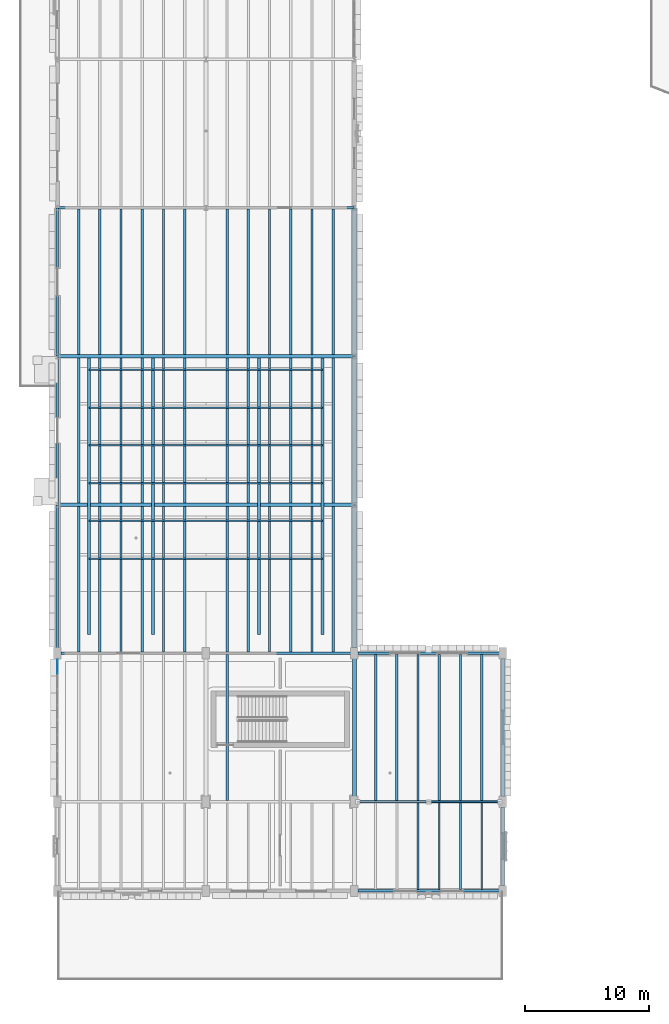
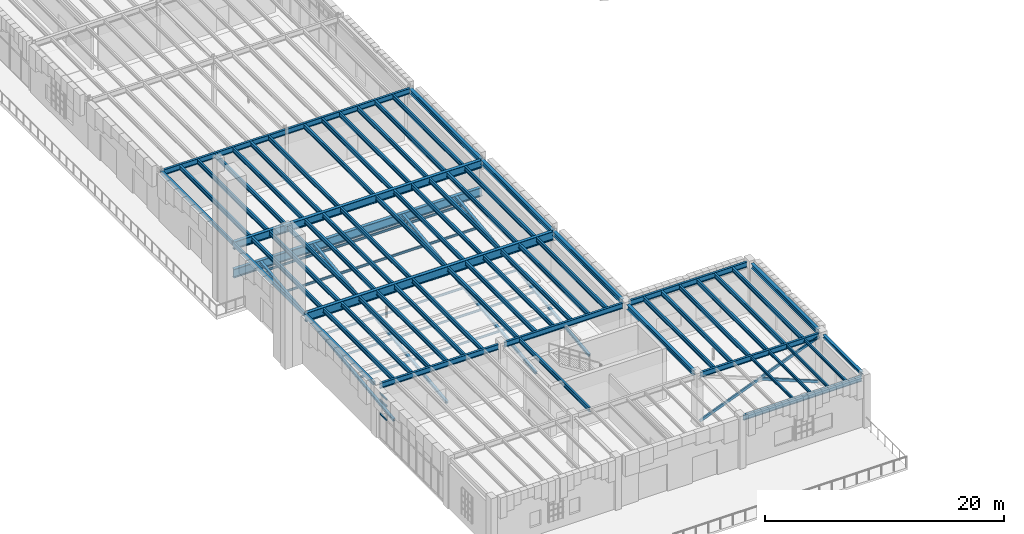
# One storey, part 15 of 103: 76 beams, 5 members, 1 element without a shape of its own.
"""IFC4 building model written with IfcOpenShell, lengths in metres."""

from ifc_helpers import new_model, si_unit, direction, frame, origin, origin_2d, place, context, subcontext, project, spatial, rectangle, hollow_rectangle, i_section, extrude, material, layer, layer_set, material_profile, profile_set, type_object, element, aggregate, save


model = new_model("IFC4")

# Units and contexts
model_context = context("Model", 3, precision=1e-05, world=origin(), true_north=direction((0.0, 1.0)))
body_context = subcontext(model_context, "Body", "Model", "MODEL_VIEW")
ifc_project = project(units=[si_unit("LENGTHUNIT", "METRE"), si_unit("AREAUNIT", "SQUARE_METRE"), si_unit("VOLUMEUNIT", "CUBIC_METRE"), si_unit("PLANEANGLEUNIT", "RADIAN"), si_unit("MASSUNIT", "GRAM", prefix="KILO")], contexts=[model_context])

# Site, building, storey
site_placement = place(None, origin())
site = spatial("IfcSite", under=ifc_project, at=site_placement, CompositionType="ELEMENT")
building_placement = place(site_placement, origin())
building = spatial("IfcBuilding", under=site, at=building_placement, Name="Zlatogorsky Bluff Art Gallery", CompositionType="ELEMENT")
storey_placement = place(building_placement, origin())
storey = spatial("IfcBuildingStorey", under=building, at=storey_placement, Name="L00", CompositionType="ELEMENT", Elevation=0.0)

# Beams
ifc_material_1 = material(Name="Steel S355", Category="steel")
ifc_material_profile_1 = material_profile(ifc_material_1, i_section(OverallWidth=0.300048828125, OverallDepth=0.800048828125, WebThickness=0.017578125, FlangeThickness=0.032958984375, FilletRadius=0.030029296875, at=origin_2d()), Name="HEB 800")
ifc_profile_set_1 = profile_set([ifc_material_profile_1], Name="Steel S355")
beam_type_1 = type_object("IfcBeamType", Name="Beam BM-03 HEB 800", PredefinedType="BEAM", material=ifc_profile_set_1)
beam_1_placement = place(storey_placement, frame((0.014892578125, 50.39990234375, 4.739990234375), z_axis=(1.0, 0.0, 0.0), x_axis=(0.0, 1.0, 0.0)))
element("IfcBeam", 1, at=beam_1_placement, inside=storey, type_object=beam_type_1, Name="Auditorium long-span girder BM-03 L00 A-C/6", PredefinedType="BEAM", context=body_context, shape_type="SweptSolid", body=[
    extrude(i_section(OverallWidth=0.300048828125, OverallDepth=0.800048828125, WebThickness=0.017578125, FlangeThickness=0.032958984375, FilletRadius=0.030029296875, at=origin_2d()), origin(), (0.0, 0.0, 1.0), 23.97021484375),
])
ifc_material_profile_2 = material_profile(ifc_material_1, i_section(OverallWidth=0.300048828125, OverallDepth=0.89990234375, WebThickness=0.0185546875, FlangeThickness=0.034912109375, FilletRadius=0.030029296875, at=origin_2d()), Name="HEB 900")
ifc_profile_set_2 = profile_set([ifc_material_profile_2], Name="Steel S355")
beam_type_2 = type_object("IfcBeamType", Name="Beam BM-04 HEB 900", PredefinedType="BEAM", material=ifc_profile_set_2)
beam_2_placement = place(storey_placement, frame((0.0, 50.39990234375, 1.89990234375), z_axis=(1.0, 0.0, 0.0), x_axis=(0.0, 1.0, 0.0)))
element("IfcBeam", 2, at=beam_2_placement, inside=storey, type_object=beam_type_2, Name="Auditorium raker north support girder", PredefinedType="BEAM", context=body_context, shape_type="SweptSolid", body=[
    extrude(i_section(OverallWidth=0.300048828125, OverallDepth=0.89990234375, WebThickness=0.0185546875, FlangeThickness=0.034912109375, FilletRadius=0.030029296875, at=origin_2d()), origin(), (0.0, 0.0, 1.0), 24.0),
])
beam_3_placement = place(storey_placement, frame((0.014892578125, 38.39990234375, 4.68994140625), z_axis=(1.0, 0.0, 0.0), x_axis=(0.0, 1.0, 0.0)))
element("IfcBeam", 3, at=beam_3_placement, inside=storey, type_object=beam_type_2, Name="Auditorium long-span girder BM-04 L00 A-C/5", PredefinedType="BEAM", context=body_context, shape_type="SweptSolid", body=[
    extrude(i_section(OverallWidth=0.300048828125, OverallDepth=0.89990234375, WebThickness=0.0185546875, FlangeThickness=0.034912109375, FilletRadius=0.030029296875, at=origin_2d()), origin(), (0.0, 0.0, 1.0), 23.97021484375),
])
ifc_material_profile_3 = material_profile(ifc_material_1, i_section(OverallWidth=0.300048828125, OverallDepth=0.489990234375, WebThickness=0.011962890625, FlangeThickness=0.02294921875, FilletRadius=0.027099609375, at=origin_2d()), Name="HEA 500")
ifc_profile_set_3 = profile_set([ifc_material_profile_3], Name="Steel S355")
beam_type_3 = type_object("IfcBeamType", Name="Beam BM-07 HEA 500", PredefinedType="BEAM", material=ifc_profile_set_3)
beam_4_placement = place(storey_placement, frame((24.0, 14.830078125, 4.89501953125), z_axis=(0.0, 1.0, 0.0), x_axis=(-1.0, 0.0, 0.0)))
element("IfcBeam", 4, at=beam_4_placement, inside=storey, type_object=beam_type_3, Name="Primary girder BM-07 L00 C/3-4", PredefinedType="BEAM", context=body_context, shape_type="SweptSolid", body=[
    extrude(i_section(OverallWidth=0.300048828125, OverallDepth=0.489990234375, WebThickness=0.011962890625, FlangeThickness=0.02294921875, FilletRadius=0.027099609375, at=origin_2d()), origin(), (0.0, 0.0, 1.0), 11.139892578125),
])
beam_5_placement = place(storey_placement, frame((24.0, 26.830078125, 4.89501953125), z_axis=(0.0, 1.0, 0.0), x_axis=(-1.0, 0.0, 0.0)))
element("IfcBeam", 5, at=beam_5_placement, inside=storey, type_object=beam_type_3, Name="Primary girder BM-07 L00 C/4-5", PredefinedType="BEAM", context=body_context, shape_type="SweptSolid", body=[
    extrude(i_section(OverallWidth=0.300048828125, OverallDepth=0.489990234375, WebThickness=0.011962890625, FlangeThickness=0.02294921875, FilletRadius=0.027099609375, at=origin_2d()), origin(), (0.0, 0.0, 1.0), 11.554931640625),
])
for number, where, z_axis, x_axis, name in (
    (6, (24.0, 38.4150390625, 4.89501953125), (0.0, 1.0, 0.0), (-1.0, 0.0, 0.0), "Primary girder BM-07 L00 C/5-6"),
    (7, (24.0, 50.4150390625, 4.89501953125), (0.0, 1.0, 0.0), (-1.0, 0.0, 0.0), "Primary girder BM-07 L00 C/6-7"),
):
    element("IfcBeam", number, at=place(storey_placement, frame(where, z_axis=z_axis, x_axis=x_axis)), inside=storey, type_object=beam_type_3, Name=name, PredefinedType="BEAM", context=body_context, shape_type="SweptSolid", body=[
        extrude(i_section(OverallWidth=0.300048828125, OverallDepth=0.489990234375, WebThickness=0.011962890625, FlangeThickness=0.02294921875, FilletRadius=0.027099609375, at=origin_2d()), origin(), (0.0, 0.0, 1.0), 11.969970703125),
    ])
beam_6_placement = place(storey_placement, frame((36.0, 14.830078125, 4.89501953125), z_axis=(0.0, 1.0, 0.0), x_axis=(-1.0, 0.0, 0.0)))
element("IfcBeam", 8, at=beam_6_placement, inside=storey, type_object=beam_type_3, Name="Primary girder BM-07 L00 D/3-4", PredefinedType="BEAM", context=body_context, shape_type="SweptSolid", body=[
    extrude(i_section(OverallWidth=0.300048828125, OverallDepth=0.489990234375, WebThickness=0.011962890625, FlangeThickness=0.02294921875, FilletRadius=0.027099609375, at=origin_2d()), origin(), (0.0, 0.0, 1.0), 11.139892578125),
])
ifc_material_profile_4 = material_profile(ifc_material_1, i_section(OverallWidth=0.280029296875, OverallDepth=0.27001953125, WebThickness=0.008056640625, FlangeThickness=0.012939453125, FilletRadius=0.02392578125, at=origin_2d()), Name="HEA 280")
ifc_profile_set_4 = profile_set([ifc_material_profile_4], Name="Steel S355")
beam_type_4 = type_object("IfcBeamType", Name="Beam BM-12 HEA 280", PredefinedType="BEAM", material=ifc_profile_set_4)
beam_7_placement = place(storey_placement, frame((36.0, 7.6298828125, 5.0048828125), z_axis=(0.0, 1.0, 0.0), x_axis=(-1.0, 0.0, 0.0)))
element("IfcBeam", 9, at=beam_7_placement, inside=storey, type_object=beam_type_4, Name="Primary girder BM-12 L00 D/2-3", PredefinedType="BEAM", context=body_context, shape_type="SweptSolid", body=[
    extrude(i_section(OverallWidth=0.280029296875, OverallDepth=0.27001953125, WebThickness=0.008056640625, FlangeThickness=0.012939453125, FilletRadius=0.02392578125, at=origin_2d()), origin(), (0.0, 0.0, 1.0), 6.340087890625),
])
ifc_material_profile_5 = material_profile(ifc_material_1, i_section(OverallWidth=0.2099609375, OverallDepth=0.550048828125, WebThickness=0.010986328125, FlangeThickness=0.01708984375, FilletRadius=0.02392578125, at=origin_2d()), Name="IPE 550")
ifc_profile_set_5 = profile_set([ifc_material_profile_5], Name="Steel S355")
beam_type_5 = type_object("IfcBeamType", Name="Beam BM-14 IPE 550", PredefinedType="BEAM", material=ifc_profile_set_5)
beam_8_placement = place(storey_placement, frame((0.280029296875, 26.39990234375, 4.864990234375), z_axis=(1.0, 0.0, 0.0), x_axis=(0.0, 1.0, 0.0)))
element("IfcBeam", 10, at=beam_8_placement, inside=storey, type_object=beam_type_5, Name="Primary girder BM-14 L00 A-B/4", PredefinedType="BEAM", context=body_context, shape_type="SweptSolid", body=[
    extrude(i_section(OverallWidth=0.2099609375, OverallDepth=0.550048828125, WebThickness=0.010986328125, FlangeThickness=0.01708984375, FilletRadius=0.02392578125, at=origin_2d()), origin(), (0.0, 0.0, 1.0), 11.43994140625),
])
beam_9_placement = place(storey_placement, frame((0.014892578125, 62.39990234375, 4.864990234375), z_axis=(1.0, 0.0, 0.0), x_axis=(0.0, 1.0, 0.0)))
element("IfcBeam", 11, at=beam_9_placement, inside=storey, type_object=beam_type_5, Name="Primary girder BM-14 L00 A-B/7", PredefinedType="BEAM", context=body_context, shape_type="SweptSolid", body=[
    extrude(i_section(OverallWidth=0.2099609375, OverallDepth=0.550048828125, WebThickness=0.010986328125, FlangeThickness=0.01708984375, FilletRadius=0.02392578125, at=origin_2d()), origin(), (0.0, 0.0, 1.0), 11.97021484375),
])
beam_10_placement = place(storey_placement, frame((12.280029296875, 26.39990234375, 4.864990234375), z_axis=(1.0, 0.0, 0.0), x_axis=(0.0, 1.0, 0.0)))
element("IfcBeam", 12, at=beam_10_placement, inside=storey, type_object=beam_type_5, Name="Primary girder BM-14 L00 B-C/4", PredefinedType="BEAM", context=body_context, shape_type="SweptSolid", body=[
    extrude(i_section(OverallWidth=0.2099609375, OverallDepth=0.550048828125, WebThickness=0.010986328125, FlangeThickness=0.01708984375, FilletRadius=0.02392578125, at=origin_2d()), origin(), (0.0, 0.0, 1.0), 11.43994140625),
])
beam_11_placement = place(storey_placement, frame((12.014892578125, 62.39990234375, 4.864990234375), z_axis=(1.0, 0.0, 0.0), x_axis=(0.0, 1.0, 0.0)))
element("IfcBeam", 13, at=beam_11_placement, inside=storey, type_object=beam_type_5, Name="Primary girder BM-14 L00 B-C/7", PredefinedType="BEAM", context=body_context, shape_type="SweptSolid", body=[
    extrude(i_section(OverallWidth=0.2099609375, OverallDepth=0.550048828125, WebThickness=0.010986328125, FlangeThickness=0.01708984375, FilletRadius=0.02392578125, at=origin_2d()), origin(), (0.0, 0.0, 1.0), 11.97021484375),
])
for number, where, z_axis, x_axis, name in (
    (14, (24.280029296875, 7.199951171875, 4.864990234375), (1.0, 0.0, 0.0), (0.0, 1.0, 0.0), "Primary girder BM-14 L00 C-D/2"),
    (15, (24.280029296875, 14.39990234375, 4.864990234375), (1.0, 0.0, 0.0), (0.0, 1.0, 0.0), "Primary girder BM-14 L00 C-D/3"),
    (16, (24.280029296875, 26.39990234375, 4.864990234375), (1.0, 0.0, 0.0), (0.0, 1.0, 0.0), "Primary girder BM-14 L00 C-D/4"),
):
    element("IfcBeam", number, at=place(storey_placement, frame(where, z_axis=z_axis, x_axis=x_axis)), inside=storey, type_object=beam_type_5, Name=name, PredefinedType="BEAM", context=body_context, shape_type="SweptSolid", body=[
        extrude(i_section(OverallWidth=0.2099609375, OverallDepth=0.550048828125, WebThickness=0.010986328125, FlangeThickness=0.01708984375, FilletRadius=0.02392578125, at=origin_2d()), origin(), (0.0, 0.0, 1.0), 11.43994140625),
    ])
ifc_material_profile_6 = material_profile(ifc_material_1, i_section(OverallWidth=0.14990234375, OverallDepth=0.300048828125, WebThickness=0.007080078125, FlangeThickness=0.0107421875, FilletRadius=0.014892578125, at=origin_2d()), Name="IPE 300")
ifc_profile_set_6 = profile_set([ifc_material_profile_6], Name="Steel S355")
beam_type_6 = type_object("IfcBeamType", Name="Beam JS-02 IPE 300", PredefinedType="JOIST", material=ifc_profile_set_6)
for number, where, z_axis, x_axis, name in (
    (17, (29.142822265625, 7.304931640625, 4.989990234375), (0.0, 1.0, 0.0), (-1.0, 0.0, 0.0), "Composite floor joist JS-02 L00 02.01.3"),
    (18, (30.857177734375, 7.304931640625, 4.989990234375), (0.0, 1.0, 0.0), (-1.0, 0.0, 0.0), "Composite floor joist JS-02 L00 02.01.4"),
    (19, (32.571533203125, 7.304931640625, 4.989990234375), (0.0, 1.0, 0.0), (-1.0, 0.0, 0.0), "Composite floor joist JS-02 L00 02.01.5"),
    (20, (34.28564453125, 7.304931640625, 4.989990234375), (0.0, 1.0, 0.0), (-1.0, 0.0, 0.0), "Composite floor joist JS-02 L00 02.01.6"),
):
    element("IfcBeam", number, at=place(storey_placement, frame(where, z_axis=z_axis, x_axis=x_axis)), inside=storey, type_object=beam_type_6, Name=name, PredefinedType="JOIST", context=body_context, shape_type="SweptSolid", body=[
        extrude(i_section(OverallWidth=0.14990234375, OverallDepth=0.300048828125, WebThickness=0.007080078125, FlangeThickness=0.0107421875, FilletRadius=0.014892578125, at=origin_2d()), origin(), (0.0, 0.0, 1.0), 6.989990234375),
    ])
ifc_material_profile_7 = material_profile(ifc_material_1, i_section(OverallWidth=0.18994140625, OverallDepth=0.449951171875, WebThickness=0.009521484375, FlangeThickness=0.0146484375, FilletRadius=0.02099609375, at=origin_2d()), Name="IPE 450")
ifc_profile_set_7 = profile_set([ifc_material_profile_7], Name="Steel S355")
beam_type_7 = type_object("IfcBeamType", Name="Beam JS-06 IPE 450", PredefinedType="JOIST", material=ifc_profile_set_7)
for number, where, z_axis, x_axis, name in (
    (21, (1.71435546875, 26.5048828125, 4.9150390625), (0.0, 1.0, 0.0), (-1.0, 0.0, 0.0), "Composite floor joist JS-06 L00 00.03.1"),
    (22, (3.428466796875, 26.5048828125, 4.9150390625), (0.0, 1.0, 0.0), (-1.0, 0.0, 0.0), "Composite floor joist JS-06 L00 00.03.2"),
    (23, (5.142822265625, 26.5048828125, 4.9150390625), (0.0, 1.0, 0.0), (-1.0, 0.0, 0.0), "Composite floor joist JS-06 L00 00.03.3"),
    (24, (6.857177734375, 26.5048828125, 4.9150390625), (0.0, 1.0, 0.0), (-1.0, 0.0, 0.0), "Composite floor joist JS-06 L00 00.03.4"),
    (25, (8.571533203125, 26.5048828125, 4.9150390625), (0.0, 1.0, 0.0), (-1.0, 0.0, 0.0), "Composite floor joist JS-06 L00 00.03.5"),
    (26, (10.28564453125, 26.5048828125, 4.9150390625), (0.0, 1.0, 0.0), (-1.0, 0.0, 0.0), "Composite floor joist JS-06 L00 00.03.6"),
):
    element("IfcBeam", number, at=place(storey_placement, frame(where, z_axis=z_axis, x_axis=x_axis)), inside=storey, type_object=beam_type_7, Name=name, PredefinedType="JOIST", context=body_context, shape_type="SweptSolid", body=[
        extrude(i_section(OverallWidth=0.18994140625, OverallDepth=0.449951171875, WebThickness=0.009521484375, FlangeThickness=0.0146484375, FilletRadius=0.02099609375, at=origin_2d()), origin(), (0.0, 0.0, 1.0), 11.7451171875),
    ])
for number, where, z_axis, x_axis, name in (
    (27, (1.71435546875, 38.550048828125, 4.9150390625), (0.0, 1.0, 0.0), (-1.0, 0.0, 0.0), "Composite floor joist JS-06 L00 00.04.1"),
    (28, (3.428466796875, 38.550048828125, 4.9150390625), (0.0, 1.0, 0.0), (-1.0, 0.0, 0.0), "Composite floor joist JS-06 L00 00.04.2"),
    (29, (5.142822265625, 38.550048828125, 4.9150390625), (0.0, 1.0, 0.0), (-1.0, 0.0, 0.0), "Composite floor joist JS-06 L00 00.04.3"),
    (30, (6.857177734375, 38.550048828125, 4.9150390625), (0.0, 1.0, 0.0), (-1.0, 0.0, 0.0), "Composite floor joist JS-06 L00 00.04.4"),
    (31, (8.571533203125, 38.550048828125, 4.9150390625), (0.0, 1.0, 0.0), (-1.0, 0.0, 0.0), "Composite floor joist JS-06 L00 00.04.5"),
    (32, (10.28564453125, 38.550048828125, 4.9150390625), (0.0, 1.0, 0.0), (-1.0, 0.0, 0.0), "Composite floor joist JS-06 L00 00.04.6"),
):
    element("IfcBeam", number, at=place(storey_placement, frame(where, z_axis=z_axis, x_axis=x_axis)), inside=storey, type_object=beam_type_7, Name=name, PredefinedType="JOIST", context=body_context, shape_type="SweptSolid", body=[
        extrude(i_section(OverallWidth=0.18994140625, OverallDepth=0.449951171875, WebThickness=0.009521484375, FlangeThickness=0.0146484375, FilletRadius=0.02099609375, at=origin_2d()), origin(), (0.0, 0.0, 1.0), 11.699951171875),
    ])
for number, where, z_axis, x_axis, name in (
    (33, (1.71435546875, 50.550048828125, 4.9150390625), (0.0, 1.0, 0.0), (-1.0, 0.0, 0.0), "Composite floor joist JS-06 L00 00.05.1"),
    (34, (3.428466796875, 50.550048828125, 4.9150390625), (0.0, 1.0, 0.0), (-1.0, 0.0, 0.0), "Composite floor joist JS-06 L00 00.05.2"),
    (35, (5.142822265625, 50.550048828125, 4.9150390625), (0.0, 1.0, 0.0), (-1.0, 0.0, 0.0), "Composite floor joist JS-06 L00 00.05.3"),
    (36, (6.857177734375, 50.550048828125, 4.9150390625), (0.0, 1.0, 0.0), (-1.0, 0.0, 0.0), "Composite floor joist JS-06 L00 00.05.4"),
    (37, (8.571533203125, 50.550048828125, 4.9150390625), (0.0, 1.0, 0.0), (-1.0, 0.0, 0.0), "Composite floor joist JS-06 L00 00.05.5"),
    (38, (10.28564453125, 50.550048828125, 4.9150390625), (0.0, 1.0, 0.0), (-1.0, 0.0, 0.0), "Composite floor joist JS-06 L00 00.05.6"),
):
    element("IfcBeam", number, at=place(storey_placement, frame(where, z_axis=z_axis, x_axis=x_axis)), inside=storey, type_object=beam_type_7, Name=name, PredefinedType="JOIST", context=body_context, shape_type="SweptSolid", body=[
        extrude(i_section(OverallWidth=0.18994140625, OverallDepth=0.449951171875, WebThickness=0.009521484375, FlangeThickness=0.0146484375, FilletRadius=0.02099609375, at=origin_2d()), origin(), (0.0, 0.0, 1.0), 11.744873046875),
    ])
beam_12_placement = place(storey_placement, frame((13.71435546875, 14.5048828125, 4.9150390625), z_axis=(0.0, 1.0, 0.0), x_axis=(-1.0, 0.0, 0.0)))
element("IfcBeam", 39, at=beam_12_placement, inside=storey, type_object=beam_type_7, Name="Composite floor joist JS-06 L00 01.02.1", PredefinedType="JOIST", context=body_context, shape_type="SweptSolid", body=[
    extrude(i_section(OverallWidth=0.18994140625, OverallDepth=0.449951171875, WebThickness=0.009521484375, FlangeThickness=0.0146484375, FilletRadius=0.02099609375, at=origin_2d()), origin(), (0.0, 0.0, 1.0), 11.7900390625),
])
for number, where, z_axis, x_axis, name in (
    (40, (13.71435546875, 26.5048828125, 4.9150390625), (0.0, 1.0, 0.0), (-1.0, 0.0, 0.0), "Composite floor joist JS-06 L00 01.03.1"),
    (41, (15.428466796875, 26.5048828125, 4.9150390625), (0.0, 1.0, 0.0), (-1.0, 0.0, 0.0), "Composite floor joist JS-06 L00 01.03.2"),
    (42, (17.142822265625, 26.5048828125, 4.9150390625), (0.0, 1.0, 0.0), (-1.0, 0.0, 0.0), "Composite floor joist JS-06 L00 01.03.3"),
    (43, (18.857177734375, 26.5048828125, 4.9150390625), (0.0, 1.0, 0.0), (-1.0, 0.0, 0.0), "Composite floor joist JS-06 L00 01.03.4"),
    (44, (20.571533203125, 26.5048828125, 4.9150390625), (0.0, 1.0, 0.0), (-1.0, 0.0, 0.0), "Composite floor joist JS-06 L00 01.03.5"),
    (45, (22.28564453125, 26.5048828125, 4.9150390625), (0.0, 1.0, 0.0), (-1.0, 0.0, 0.0), "Composite floor joist JS-06 L00 01.03.6"),
):
    element("IfcBeam", number, at=place(storey_placement, frame(where, z_axis=z_axis, x_axis=x_axis)), inside=storey, type_object=beam_type_7, Name=name, PredefinedType="JOIST", context=body_context, shape_type="SweptSolid", body=[
        extrude(i_section(OverallWidth=0.18994140625, OverallDepth=0.449951171875, WebThickness=0.009521484375, FlangeThickness=0.0146484375, FilletRadius=0.02099609375, at=origin_2d()), origin(), (0.0, 0.0, 1.0), 11.7451171875),
    ])
for number, where, z_axis, x_axis, name in (
    (46, (13.71435546875, 38.550048828125, 4.9150390625), (0.0, 1.0, 0.0), (-1.0, 0.0, 0.0), "Composite floor joist JS-06 L00 01.04.1"),
    (47, (15.428466796875, 38.550048828125, 4.9150390625), (0.0, 1.0, 0.0), (-1.0, 0.0, 0.0), "Composite floor joist JS-06 L00 01.04.2"),
    (48, (17.142822265625, 38.550048828125, 4.9150390625), (0.0, 1.0, 0.0), (-1.0, 0.0, 0.0), "Composite floor joist JS-06 L00 01.04.3"),
    (49, (18.857177734375, 38.550048828125, 4.9150390625), (0.0, 1.0, 0.0), (-1.0, 0.0, 0.0), "Composite floor joist JS-06 L00 01.04.4"),
    (50, (20.571533203125, 38.550048828125, 4.9150390625), (0.0, 1.0, 0.0), (-1.0, 0.0, 0.0), "Composite floor joist JS-06 L00 01.04.5"),
    (51, (22.28564453125, 38.550048828125, 4.9150390625), (0.0, 1.0, 0.0), (-1.0, 0.0, 0.0), "Composite floor joist JS-06 L00 01.04.6"),
):
    element("IfcBeam", number, at=place(storey_placement, frame(where, z_axis=z_axis, x_axis=x_axis)), inside=storey, type_object=beam_type_7, Name=name, PredefinedType="JOIST", context=body_context, shape_type="SweptSolid", body=[
        extrude(i_section(OverallWidth=0.18994140625, OverallDepth=0.449951171875, WebThickness=0.009521484375, FlangeThickness=0.0146484375, FilletRadius=0.02099609375, at=origin_2d()), origin(), (0.0, 0.0, 1.0), 11.699951171875),
    ])
for number, where, z_axis, x_axis, name in (
    (52, (13.71435546875, 50.550048828125, 4.9150390625), (0.0, 1.0, 0.0), (-1.0, 0.0, 0.0), "Composite floor joist JS-06 L00 01.05.1"),
    (53, (15.428466796875, 50.550048828125, 4.9150390625), (0.0, 1.0, 0.0), (-1.0, 0.0, 0.0), "Composite floor joist JS-06 L00 01.05.2"),
    (54, (17.142822265625, 50.550048828125, 4.9150390625), (0.0, 1.0, 0.0), (-1.0, 0.0, 0.0), "Composite floor joist JS-06 L00 01.05.3"),
    (55, (18.857177734375, 50.550048828125, 4.9150390625), (0.0, 1.0, 0.0), (-1.0, 0.0, 0.0), "Composite floor joist JS-06 L00 01.05.4"),
    (56, (20.571533203125, 50.550048828125, 4.9150390625), (0.0, 1.0, 0.0), (-1.0, 0.0, 0.0), "Composite floor joist JS-06 L00 01.05.5"),
    (57, (22.28564453125, 50.550048828125, 4.9150390625), (0.0, 1.0, 0.0), (-1.0, 0.0, 0.0), "Composite floor joist JS-06 L00 01.05.6"),
):
    element("IfcBeam", number, at=place(storey_placement, frame(where, z_axis=z_axis, x_axis=x_axis)), inside=storey, type_object=beam_type_7, Name=name, PredefinedType="JOIST", context=body_context, shape_type="SweptSolid", body=[
        extrude(i_section(OverallWidth=0.18994140625, OverallDepth=0.449951171875, WebThickness=0.009521484375, FlangeThickness=0.0146484375, FilletRadius=0.02099609375, at=origin_2d()), origin(), (0.0, 0.0, 1.0), 11.744873046875),
    ])
for number, where, z_axis, x_axis, name in (
    (58, (25.71435546875, 14.5048828125, 4.9150390625), (0.0, 1.0, 0.0), (-1.0, 0.0, 0.0), "Composite floor joist JS-06 L00 02.02.1"),
    (59, (27.428466796875, 14.5048828125, 4.9150390625), (0.0, 1.0, 0.0), (-1.0, 0.0, 0.0), "Composite floor joist JS-06 L00 02.02.2"),
    (60, (29.142822265625, 14.5048828125, 4.9150390625), (0.0, 1.0, 0.0), (-1.0, 0.0, 0.0), "Composite floor joist JS-06 L00 02.02.3"),
    (61, (30.857177734375, 14.5048828125, 4.9150390625), (0.0, 1.0, 0.0), (-1.0, 0.0, 0.0), "Composite floor joist JS-06 L00 02.02.4"),
    (62, (32.571533203125, 14.5048828125, 4.9150390625), (0.0, 1.0, 0.0), (-1.0, 0.0, 0.0), "Composite floor joist JS-06 L00 02.02.5"),
    (63, (34.28564453125, 14.5048828125, 4.9150390625), (0.0, 1.0, 0.0), (-1.0, 0.0, 0.0), "Composite floor joist JS-06 L00 02.02.6"),
):
    element("IfcBeam", number, at=place(storey_placement, frame(where, z_axis=z_axis, x_axis=x_axis)), inside=storey, type_object=beam_type_7, Name=name, PredefinedType="JOIST", context=body_context, shape_type="SweptSolid", body=[
        extrude(i_section(OverallWidth=0.18994140625, OverallDepth=0.449951171875, WebThickness=0.009521484375, FlangeThickness=0.0146484375, FilletRadius=0.02099609375, at=origin_2d()), origin(), (0.0, 0.0, 1.0), 11.7900390625),
    ])
ifc_material_profile_8 = material_profile(ifc_material_1, i_section(OverallWidth=0.110107421875, OverallDepth=0.219970703125, WebThickness=0.005859375, FlangeThickness=0.00927734375, FilletRadius=0.011962890625, at=origin_2d()), Name="IPE 220")
ifc_profile_set_8 = profile_set([ifc_material_profile_8], Name="Steel S355")
beam_type_8 = type_object("IfcBeamType", Name="Beam LN-01 IPE 220", PredefinedType="LINTEL", material=ifc_profile_set_8)
for number, where, z_axis, x_axis, name in (
    (64, (2.570068359375, 34.050048828125, 0.19482421875), (1.0, 0.0, 0.0), (0.0, 1.0, 0.0), "Auditorium tier cross-bearer 1"),
    (65, (2.570068359375, 37.10009765625, 0.5498046875), (1.0, 0.0, 0.0), (0.0, 1.0, 0.0), "Auditorium tier cross-bearer 2"),
    (66, (2.570068359375, 40.14990234375, 0.904541015625), (1.0, 0.0, 0.0), (0.0, 1.0, 0.0), "Auditorium tier cross-bearer 3"),
    (67, (2.570068359375, 43.199951171875, 1.259521484375), (1.0, 0.0, 0.0), (0.0, 1.0, 0.0), "Auditorium tier cross-bearer 4"),
    (68, (2.570068359375, 46.25, 1.614501953125), (1.0, 0.0, 0.0), (0.0, 1.0, 0.0), "Auditorium tier cross-bearer 5"),
    (69, (2.570068359375, 49.300048828125, 1.969482421875), (1.0, 0.0, 0.0), (0.0, 1.0, 0.0), "Auditorium tier cross-bearer 6"),
):
    element("IfcBeam", number, at=place(storey_placement, frame(where, z_axis=z_axis, x_axis=x_axis)), inside=storey, type_object=beam_type_8, Name=name, PredefinedType="LINTEL", context=body_context, shape_type="SweptSolid", body=[
        extrude(i_section(OverallWidth=0.110107421875, OverallDepth=0.219970703125, WebThickness=0.005859375, FlangeThickness=0.00927734375, FilletRadius=0.011962890625, at=origin_2d()), origin(), (0.0, 0.0, 1.0), 18.85986328125),
    ])
ifc_material_profile_9 = material_profile(ifc_material_1, i_section(OverallWidth=0.239990234375, OverallDepth=0.22998046875, WebThickness=0.007568359375, FlangeThickness=0.011962890625, FilletRadius=0.02099609375, at=origin_2d()), Name="HEA 240")
ifc_profile_set_9 = profile_set([ifc_material_profile_9], Name="Steel S355")
beam_type_9 = type_object("IfcBeamType", Name="Beam RK-01 HEA 240", PredefinedType="USERDEFINED", material=ifc_profile_set_9)
for number, where, z_axis, x_axis, name in (
    (70, (2.570068359375, 27.93994140625, -0.39501953125), (0.0, 0.993128712603, 0.117027177197), (-1.0, 0.0, 0.0), "Auditorium seating raker beam X=2.57"),
    (71, (7.7099609375, 27.93994140625, -0.39501953125), (0.0, 0.993128712603, 0.117027177197), (-1.0, 0.0, 0.0), "Auditorium seating raker beam X=7.71"),
    (72, (16.2900390625, 27.93994140625, -0.39501953125), (0.0, 0.993128712603, 0.117027177197), (-1.0, 0.0, 0.0), "Auditorium seating raker beam X=16.29"),
    (73, (21.429931640625, 27.93994140625, -0.39501953125), (0.0, 0.993128712603, 0.117027177197), (-1.0, 0.0, 0.0), "Auditorium seating raker beam X=21.43"),
):
    element("IfcBeam", number, at=place(storey_placement, frame(where, z_axis=z_axis, x_axis=x_axis)), inside=storey, type_object=beam_type_9, Name=name, ObjectType="RAKER", PredefinedType="USERDEFINED", context=body_context, shape_type="SweptSolid", body=[
        extrude(i_section(OverallWidth=0.239990234375, OverallDepth=0.22998046875, WebThickness=0.007568359375, FlangeThickness=0.011962890625, FilletRadius=0.02099609375, at=origin_2d()), origin(), (0.0, 0.0, 1.0), 22.474609375),
    ])
ifc_material_profile_10 = material_profile(ifc_material_1, hollow_rectangle(XDim=0.199951171875, YDim=0.39990234375, WallThickness=0.01611328125, at=origin_2d()), Name="RHS 400x200x16")
ifc_profile_set_10 = profile_set([ifc_material_profile_10], Name="Steel S355")
beam_type_10 = type_object("IfcBeamType", Name="Beam SP-02 RHS 400x200x16", PredefinedType="SPANDREL", material=ifc_profile_set_10)
beam_13_placement = place(storey_placement, frame((0.0, 26.830078125, 4.93994140625), z_axis=(0.0, 1.0, 0.0), x_axis=(-1.0, 0.0, 0.0)))
element("IfcBeam", 74, at=beam_13_placement, inside=storey, type_object=beam_type_10, Name="Primary girder SP-02 L00 A/4-5", PredefinedType="SPANDREL", context=body_context, shape_type="SweptSolid", body=[
    extrude(hollow_rectangle(XDim=0.199951171875, YDim=0.39990234375, WallThickness=0.01611328125, at=origin_2d()), origin(), (0.0, 0.0, 1.0), 11.554931640625),
])
for number, where, z_axis, x_axis, name in (
    (75, (0.0, 38.4150390625, 4.93994140625), (0.0, 1.0, 0.0), (-1.0, 0.0, 0.0), "Primary girder SP-02 L00 A/5-6"),
    (76, (0.0, 50.4150390625, 4.93994140625), (0.0, 1.0, 0.0), (-1.0, 0.0, 0.0), "Primary girder SP-02 L00 A/6-7"),
):
    element("IfcBeam", number, at=place(storey_placement, frame(where, z_axis=z_axis, x_axis=x_axis)), inside=storey, type_object=beam_type_10, Name=name, PredefinedType="SPANDREL", context=body_context, shape_type="SweptSolid", body=[
        extrude(hollow_rectangle(XDim=0.199951171875, YDim=0.39990234375, WallThickness=0.01611328125, at=origin_2d()), origin(), (0.0, 0.0, 1.0), 11.969970703125),
    ])

# Curtain wall, members
ifc_material_2 = material(Name="Anodised Bronze Aluminium and Low-Iron Triple Glazing", Category="aluminium")
ifc_layer = layer(ifc_material_2, 0.179931640625)
ifc_layer_set = layer_set([ifc_layer], Name="Curtain Wall CW-03")
curtain_wall_type = type_object("IfcCurtainWallType", Name="Curtain Wall CW-03", PredefinedType="USERDEFINED", material=ifc_layer_set)
curtain_wall_placement = place(storey_placement, origin())
curtain_wall = element("IfcCurtainWall", 77, at=curtain_wall_placement, inside=storey, type_object=curtain_wall_type, Name="Unitised curtain wall CW-03 L00 W 0.2", ObjectType="CURTAIN WALL", PredefinedType="USERDEFINED")
ifc_material_3 = material(Name="Anodised Bronze Aluminium", Category="aluminium")
ifc_material_profile_11 = material_profile(ifc_material_3, rectangle(XDim=0.06494140625, YDim=0.139892578125, at=origin_2d()), Name="ALU TRANSOM 65x140")
ifc_profile_set_11 = profile_set([ifc_material_profile_11], Name="Anodised Bronze Aluminium")
member_type_1 = type_object("IfcMemberType", Name="Curtain Transom TR-01", PredefinedType="USERDEFINED", material=ifc_profile_set_11)
member_1_placement = place(storey_placement, frame((0.0, 25.889892578125, 2.449951171875), z_axis=(0.0, -1.0, 0.0), x_axis=(1.0, 0.0, 0.0)))
member_1 = element("IfcMember", 78, at=member_1_placement, type_object=member_type_1, Name="CW-03 transom 1.2", ObjectType="TRANSOM", PredefinedType="USERDEFINED", context=body_context, shape_type="SweptSolid", body=[
    extrude(rectangle(XDim=0.06494140625, YDim=0.139892578125, at=origin_2d()), origin(), (0.0, 0.0, 1.0), 1.13671875),
])
member_2_placement = place(storey_placement, frame((0.0, 25.889892578125, 3.85009765625), z_axis=(0.0, -1.0, 0.0), x_axis=(1.0, 0.0, 0.0)))
member_2 = element("IfcMember", 79, at=member_2_placement, type_object=member_type_1, Name="CW-03 transom 1.3", ObjectType="TRANSOM", PredefinedType="USERDEFINED", context=body_context, shape_type="SweptSolid", body=[
    extrude(rectangle(XDim=0.06494140625, YDim=0.139892578125, at=origin_2d()), origin(), (0.0, 0.0, 1.0), 1.13671875),
])
member_3_placement = place(storey_placement, frame((0.0, 25.889892578125, 4.527587890625), z_axis=(0.0, -1.0, 0.0), x_axis=(1.0, 0.0, 0.0)))
member_3 = element("IfcMember", 80, at=member_3_placement, type_object=member_type_1, Name="CW-03 transom 1.4", ObjectType="TRANSOM", PredefinedType="USERDEFINED", context=body_context, shape_type="SweptSolid", body=[
    extrude(rectangle(XDim=0.06494140625, YDim=0.139892578125, at=origin_2d()), origin(), (0.0, 0.0, 1.0), 1.13671875),
])
aggregate(curtain_wall, [member_1, member_2, member_3])

# Members
ifc_material_profile_12 = material_profile(ifc_material_1, hollow_rectangle(XDim=0.14990234375, YDim=0.25, WallThickness=0.010009765625, at=origin_2d()), Name="RHS 250x150x10")
ifc_profile_set_12 = profile_set([ifc_material_profile_12], Name="Steel S355")
member_type_2 = type_object("IfcMemberType", Name="Member BR-03 RHS 250x150x10", PredefinedType="BRACE", material=ifc_profile_set_12)
member_4_placement = place(storey_placement, frame((24.25, 14.39990234375, 0.14990234375), z_axis=(0.928473972081, 0.0, 0.371397473292), x_axis=(0.0, 1.0, 0.0)))
element("IfcMember", 81, at=member_4_placement, inside=storey, type_object=member_type_2, Name="Continuous X-brace diagonal L00.6A", PredefinedType="BRACE", context=body_context, shape_type="SweptSolid", body=[
    extrude(hollow_rectangle(XDim=0.14990234375, YDim=0.25, WallThickness=0.010009765625, at=origin_2d()), origin(), (0.0, 0.0, 1.0), 12.385986328125),
])
member_5_placement = place(storey_placement, frame((30.1298828125, 14.39990234375, 2.39794921875), z_axis=(0.928476690885, 0.0, -0.371390676354), x_axis=(0.0, 1.0, 0.0)))
element("IfcMember", 82, at=member_5_placement, inside=storey, type_object=member_type_2, Name="Split X-brace diagonal upper L00.6B2", PredefinedType="BRACE", context=body_context, shape_type="SweptSolid", body=[
    extrude(hollow_rectangle(XDim=0.14990234375, YDim=0.25, WallThickness=0.010009765625, at=origin_2d()), origin(), (0.0, 0.0, 1.0), 6.052978515625),
])

save(model, "model.ifc")
